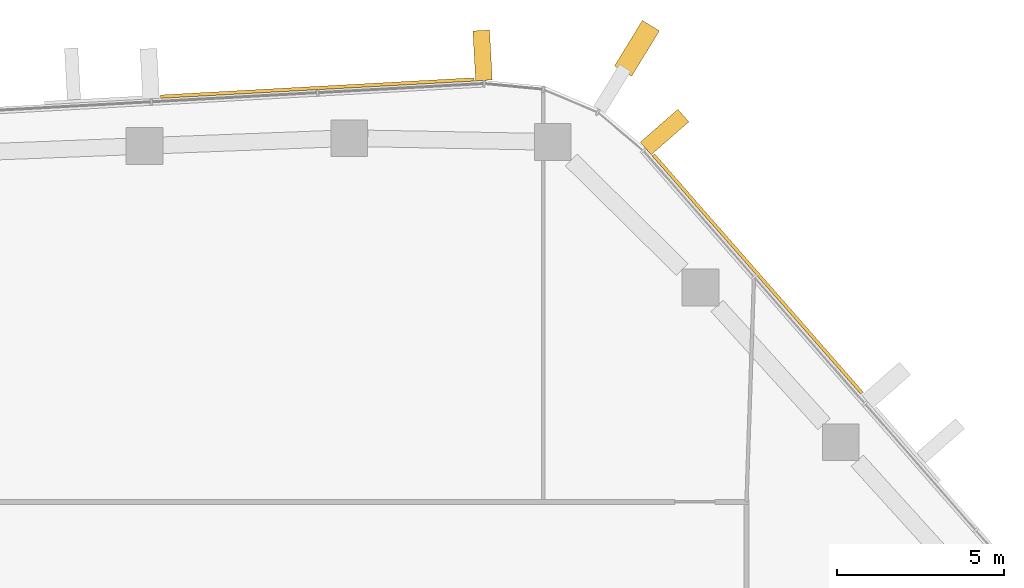
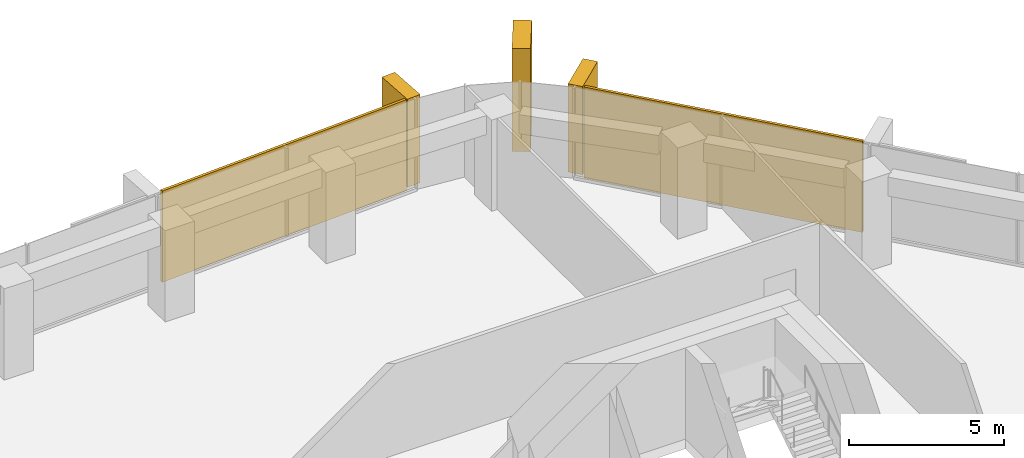
# One storey, part 21 of 21: 5 coverings, 3 elements without a shape of their own.
"""IFC4 building model written with IfcOpenShell, lengths in metres."""

from ifc_helpers import new_model, si_unit, direction, frame, origin, origin_2d, place, context, subcontext, project, spatial, rectangle, extrude, material, layer, layer_set, material_profile, profile_set, type_object, element, aggregate, save


model = new_model("IFC4")

# Units and contexts
model_context = context("Model", 3, precision=1e-05, world=origin(), true_north=direction((0.0, 1.0)))
body_context = subcontext(model_context, "Body", "Model", "MODEL_VIEW")
ifc_project = project(units=[si_unit("LENGTHUNIT", "METRE"), si_unit("AREAUNIT", "SQUARE_METRE"), si_unit("VOLUMEUNIT", "CUBIC_METRE"), si_unit("PLANEANGLEUNIT", "RADIAN"), si_unit("MASSUNIT", "GRAM", prefix="KILO")], contexts=[model_context])

# Site, building, storey
site_placement = place(None, origin())
site = spatial("IfcSite", under=ifc_project, at=site_placement, CompositionType="ELEMENT")
building_placement = place(site_placement, origin())
building = spatial("IfcBuilding", under=site, at=building_placement, Name="Dongbaek Canopy Tower", CompositionType="ELEMENT")
storey_placement = place(building_placement, frame((0.0, 0.0, 279.0)))
storey = spatial("IfcBuildingStorey", under=building, at=storey_placement, Name="L59", CompositionType="ELEMENT", Elevation=279.0)

# Curtain wall, covering
ifc_material_1 = material(Name="Aluminium 6063-T6 pale anodised", Category="aluminium")
ifc_layer_1 = layer(ifc_material_1, 0.199951171875)
ifc_layer_set_1 = layer_set([ifc_layer_1], Name="CW-1 unitised tower curtain wall")
curtain_wall_type = type_object("IfcCurtainWallType", Name="CW-1 unitised tower curtain wall", PredefinedType="NOTDEFINED", material=ifc_layer_set_1)
curtain_wall_1_placement = place(storey_placement, origin())
curtain_wall_1 = element("IfcCurtainWall", 1, at=curtain_wall_1_placement, inside=storey, type_object=curtain_wall_type, Name="CW-1 curtain wall K1.1", PredefinedType="NOTDEFINED")
ifc_material_2 = material(Name="Aluminium 6063-T6 pale metal fin", Category="aluminium")
ifc_material_profile_1 = material_profile(ifc_material_2, rectangle(XDim=1.60009765625, YDim=0.60009765625, at=origin_2d()), Name="Corner fin CN1 600 x 1600 pale metal")
ifc_profile_set_1 = profile_set([ifc_material_profile_1], Name="Aluminium 6063-T6 pale metal fin")
covering_type_1 = type_object("IfcCoveringType", Name="Corner fin CN1 600 x 1600 pale metal", PredefinedType="CLADDING", material=ifc_profile_set_1)
covering_1_placement = place(storey_placement, frame((13.512939453125, 27.406005859375, -0.18994140625), z_axis=(0.0, 0.0, 1.0), x_axis=(0.522138388768, 0.852860775845, 0.0)))
covering_1 = element("IfcCovering", 2, at=covering_1_placement, type_object=covering_type_1, Name="Corner fin L59 L59 K1", PredefinedType="CLADDING", context=body_context, shape_type="SweptSolid", body=[
    extrude(rectangle(XDim=1.60009765625, YDim=0.60009765625, at=origin_2d()), origin(), (0.0, 0.0, 1.0), 4.06982421875),
])
aggregate(curtain_wall_1, [covering_1])

curtain_wall_2_placement = place(storey_placement, origin())
curtain_wall_2 = element("IfcCurtainWall", 3, at=curtain_wall_2_placement, inside=storey, type_object=curtain_wall_type, Name="CW-1 curtain wall F0.1", PredefinedType="NOTDEFINED")
ifc_material_3 = material(Name="Perforated aluminium 6063-T6 pale metal screen", Category="aluminium")
ifc_layer_2 = layer(ifc_material_3, 0.10009765625)
ifc_layer_set_2 = layer_set([ifc_layer_2], Name="Facet screen FS1 100 pale metal")
covering_type_2 = type_object("IfcCoveringType", Name="Facet screen FS1 100 pale metal", PredefinedType="CLADDING", material=ifc_layer_set_2)
covering_2_placement = place(storey_placement, frame((17.135986328125, 20.636474609375, 0.0), z_axis=(0.0, 0.0, 1.0), x_axis=(-0.658881167647, 0.752247038492, 0.0)))
covering_2 = element("IfcCovering", 4, at=covering_2_placement, type_object=covering_type_2, Name="Facet screen L59 F0", PredefinedType="CLADDING", context=body_context, shape_type="SweptSolid", body=[
    extrude(rectangle(XDim=9.513916015625, YDim=0.10009765625, at=origin_2d()), origin(), (0.0, 0.0, 1.0), 3.60009765625),
])

curtain_wall_3_placement = place(storey_placement, origin())
curtain_wall_3 = element("IfcCurtainWall", 5, at=curtain_wall_3_placement, inside=storey, type_object=curtain_wall_type, Name="CW-1 curtain wall F1.1", PredefinedType="NOTDEFINED")
covering_3_placement = place(storey_placement, frame((3.92431640625, 26.21728515625, 0.0), z_axis=(0.0, 0.0, 1.0), x_axis=(-0.998495420632, -0.054835161861, 0.0)))
covering_3 = element("IfcCovering", 6, at=covering_3_placement, type_object=covering_type_2, Name="Facet screen L59 F1", PredefinedType="CLADDING", context=body_context, shape_type="SweptSolid", body=[
    extrude(rectangle(XDim=9.423095703125, YDim=0.10009765625, at=origin_2d()), origin(), (0.0, 0.0, 1.0), 3.60009765625),
])

# Covering
ifc_material_4 = material(Name="Aluminium 6063-T6 pale metal fin", Category="aluminium")
ifc_material_profile_2 = material_profile(ifc_material_4, rectangle(XDim=1.5, YDim=0.5, at=origin_2d()), Name="Fin FN1 500 x 1500 pale metal")
ifc_profile_set_2 = profile_set([ifc_material_profile_2], Name="Aluminium 6063-T6 pale metal fin")
covering_type_3 = type_object("IfcCoveringType", Name="Fin FN1 500 x 1500 pale metal", PredefinedType="CLADDING", material=ifc_profile_set_2)
covering_4_placement = place(storey_placement, frame((14.340087890625, 24.896728515625, 0.1201171875), z_axis=(0.0, 0.0, 1.0), x_axis=(0.752246978855, 0.658881235735, 0.0)))
covering_4 = element("IfcCovering", 7, at=covering_4_placement, type_object=covering_type_3, Name="Fin F0.1.5", PredefinedType="CLADDING", context=body_context, shape_type="SweptSolid", body=[
    extrude(rectangle(XDim=1.5, YDim=0.5, at=origin_2d()), origin(), (0.0, 0.0, 1.0), 3.47998046875),
])

aggregate(curtain_wall_2, [covering_4, covering_2])

covering_5_placement = place(storey_placement, frame((8.8798828125, 27.194580078125, 0.1201171875), z_axis=(0.0, 0.0, 1.0), x_axis=(-0.054835623277, 0.998495395292, 0.0)))
covering_5 = element("IfcCovering", 8, at=covering_5_placement, type_object=covering_type_3, Name="Fin F1.1.1", PredefinedType="CLADDING", context=body_context, shape_type="SweptSolid", body=[
    extrude(rectangle(XDim=1.5, YDim=0.5, at=origin_2d()), origin(), (0.0, 0.0, 1.0), 3.47998046875),
])

aggregate(curtain_wall_3, [covering_5, covering_3])

save(model, "model.ifc")
